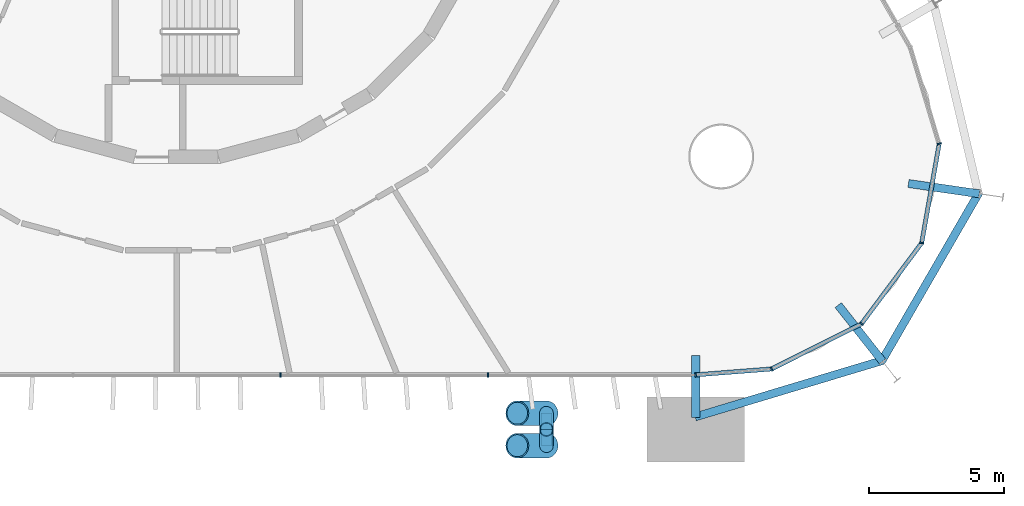
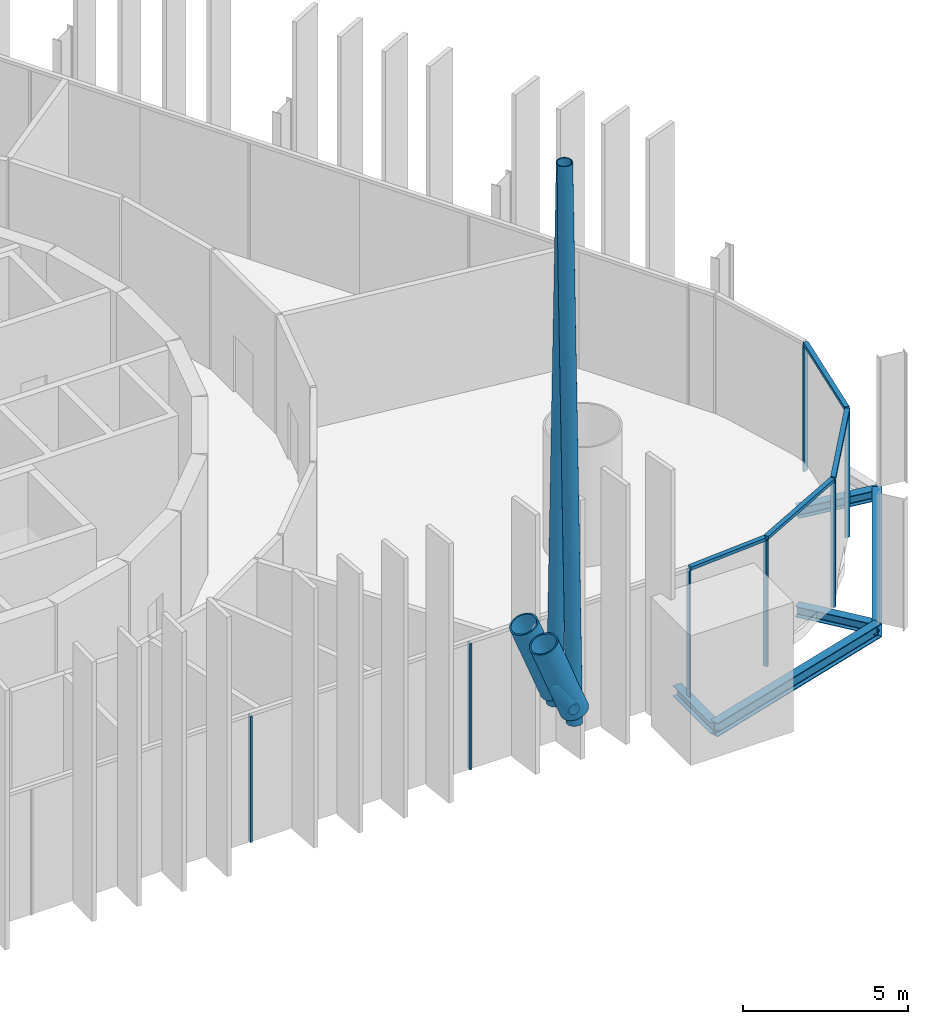
# One storey, part 7 of 18: 16 members, 5 beams, 2 elements without a shape of their own.
"""IFC4 building model written with IfcOpenShell, lengths in metres."""

from ifc_helpers import new_model, si_unit, direction, frame, origin, origin_2d, place, context, subcontext, project, spatial, rectangle, hollow_circle, i_section, extrude, material, layer, layer_set, material_profile, profile_set, type_object, element, aggregate, save


model = new_model("IFC4")

# Units and contexts
model_context = context("Model", 3, precision=1e-05, world=origin(), true_north=direction((0.0, 1.0)))
body_context = subcontext(model_context, "Body", "Model", "MODEL_VIEW")
ifc_project = project(units=[si_unit("LENGTHUNIT", "METRE"), si_unit("AREAUNIT", "SQUARE_METRE"), si_unit("VOLUMEUNIT", "CUBIC_METRE"), si_unit("PLANEANGLEUNIT", "RADIAN"), si_unit("MASSUNIT", "GRAM", prefix="KILO")], contexts=[model_context])

# Site, building, storey
site_placement = place(None, origin())
site = spatial("IfcSite", under=ifc_project, at=site_placement, CompositionType="ELEMENT")
building_placement = place(site_placement, origin())
building = spatial("IfcBuilding", under=site, at=building_placement, Name="Spindle Arch Residences", CompositionType="ELEMENT")
storey_placement = place(building_placement, frame((0.0, 0.0, 9.0)))
storey = spatial("IfcBuildingStorey", under=building, at=storey_placement, Name="L01", CompositionType="ELEMENT", Elevation=9.0)

# Members
ifc_material_1 = material(Name="Steel S355J2, intumescent coating R 240", Category="steel")
ifc_material_profile_1 = material_profile(ifc_material_1, hollow_circle(Radius=0.25390625, WallThickness=0.02490234375, at=origin_2d()), Name="CHS 508x25")
ifc_profile_set_1 = profile_set([ifc_material_profile_1], Name="Steel S355J2, intumescent coating R 240")
member_type_1 = type_object("IfcMemberType", Name="Arch hanger CHS 508x25", PredefinedType="BRACE", material=ifc_profile_set_1)
for number, where, z_axis, x_axis, name in (
    (1, (13.676513671875, -21.72998046875, 22.5419921875), (0.0, -0.029455418641, -0.99956609502), (1.0, 0.0, 0.0), "Arch hanger 1.20"),
    (2, (13.676513671875, -21.72998046875, 22.5419921875), (0.0, 0.029467396601, -0.999565741979), (-1.0, 0.0, 0.0), "Arch hanger 2.20"),
):
    element("IfcMember", number, at=place(storey_placement, frame(where, z_axis=z_axis, x_axis=x_axis)), inside=storey, type_object=member_type_1, Name=name, PredefinedType="BRACE", context=body_context, shape_type="SweptSolid", body=[
        extrude(hollow_circle(Radius=0.25390625, WallThickness=0.02490234375, at=origin_2d()), origin(), (0.0, 0.0, 1.0), 20.36474609375),
    ])
ifc_material_2 = material(Name="Steel S355J2, intumescent coating R 240", Category="steel")
ifc_material_profile_2 = material_profile(ifc_material_2, hollow_circle(Radius=0.45703125, WallThickness=0.050048828125, at=origin_2d()), Name="CHS 914x50")
ifc_profile_set_2 = profile_set([ifc_material_profile_2], Name="Steel S355J2, intumescent coating R 240")
member_type_2 = type_object("IfcMemberType", Name="Arch rib CHS 914x50", PredefinedType="MEMBER", material=ifc_profile_set_2)
for number, where, z_axis, x_axis, name in (
    (3, (12.59765625, -22.329833984375, 5.451904296875), (0.358582102982, 0.0, -0.933498192511), (0.0, 1.0, 0.0), "Arch rib 1.20"),
    (4, (12.59765625, -21.1298828125, 5.451904296875), (0.358582102982, 0.0, -0.933498192511), (0.0, 1.0, 0.0), "Arch rib 2.20"),
):
    element("IfcMember", number, at=place(storey_placement, frame(where, z_axis=z_axis, x_axis=x_axis)), inside=storey, type_object=member_type_2, Name=name, PredefinedType="MEMBER", context=body_context, shape_type="SweptSolid", body=[
        extrude(hollow_circle(Radius=0.45703125, WallThickness=0.050048828125, at=origin_2d()), origin(), (0.0, 0.0, 1.0), 3.0087890625),
    ])
ifc_material_3 = material(Name="Steel S355J2, intumescent coating R 240", Category="steel")
ifc_material_profile_3 = material_profile(ifc_material_3, hollow_circle(Radius=0.203125, WallThickness=0.02001953125, at=origin_2d()), Name="CHS 406.4x20")
ifc_profile_set_3 = profile_set([ifc_material_profile_3], Name="Steel S355J2, intumescent coating R 240")
member_type_3 = type_object("IfcMemberType", Name="Arch tie CHS 406.4x20", PredefinedType="MEMBER", material=ifc_profile_set_3)
member_1_placement = place(storey_placement, frame((13.676513671875, -22.329833984375, 2.643310546875), z_axis=(0.0, 1.0, 0.0), x_axis=(-1.0, 0.0, 0.0)))
element("IfcMember", 5, at=member_1_placement, inside=storey, type_object=member_type_3, Name="Arch tie 20", PredefinedType="MEMBER", context=body_context, shape_type="SweptSolid", body=[
    extrude(hollow_circle(Radius=0.203125, WallThickness=0.02001953125, at=origin_2d()), origin(), (0.0, 0.0, 1.0), 1.199951171875),
])

# Curtain wall, members
ifc_material_4 = material(Name="Aluminium bronze unitised frame with tinted glass", Category="aluminium")
ifc_layer_1 = layer(ifc_material_4, 0.159912109375)
ifc_layer_set_1 = layer_set([ifc_layer_1], Name="CW-D corner wall on the fillet arcs")
curtain_wall_type_1 = type_object("IfcCurtainWallType", Name="CW-D corner wall on the fillet arcs", PredefinedType="NOTDEFINED", material=ifc_layer_set_1)
curtain_wall_1_placement = place(storey_placement, origin())
curtain_wall_1 = element("IfcCurtainWall", 6, at=curtain_wall_1_placement, inside=storey, type_object=curtain_wall_type_1, Name="CW-D L01 run 1", PredefinedType="NOTDEFINED")
ifc_material_5 = material(Name="Aluminium bronze anodised mullion", Category="aluminium")
ifc_material_profile_4 = material_profile(ifc_material_5, rectangle(XDim=0.159912109375, YDim=0.06005859375, at=origin_2d()), Name="MU 60x160")
ifc_profile_set_4 = profile_set([ifc_material_profile_4], Name="Aluminium bronze anodised mullion")
member_type_4 = type_object("IfcMemberType", Name="Bronze mullion 60x160", PredefinedType="MULLION", material=ifc_profile_set_4)
member_2_placement = place(storey_placement, frame((19.2001953125, -19.7099609375, -0.3798828125), z_axis=(0.0, 0.0, 1.0), x_axis=(-0.077364085451, 0.997002907861, 0.0)))
member_2 = element("IfcMember", 7, at=member_2_placement, type_object=member_type_4, Name="CW-D mullion 00", PredefinedType="MULLION", context=body_context, shape_type="SweptSolid", body=[
    extrude(rectangle(XDim=0.159912109375, YDim=0.06005859375, at=origin_2d()), origin(), (0.0, 0.0, 1.0), 4.679931640625),
])
member_3_placement = place(storey_placement, frame((22.007080078125, -19.4921875, -0.3798828125), z_axis=(0.0, 0.0, 1.0), x_axis=(-0.448799176213, 0.893632642326, 0.0)))
member_3 = element("IfcMember", 8, at=member_3_placement, type_object=member_type_4, Name="CW-D mullion 01", PredefinedType="MULLION", context=body_context, shape_type="SweptSolid", body=[
    extrude(rectangle(XDim=0.159912109375, YDim=0.06005859375, at=origin_2d()), origin(), (0.0, 0.0, 1.0), 4.679931640625),
])
member_4_placement = place(storey_placement, frame((25.33740234375, -17.819580078125, -0.3798828125), z_axis=(0.0, 0.0, 1.0), x_axis=(-0.802123189687, 0.597158595823, 0.0)))
member_4 = element("IfcMember", 9, at=member_4_placement, type_object=member_type_4, Name="CW-D mullion 02", PredefinedType="MULLION", context=body_context, shape_type="SweptSolid", body=[
    extrude(rectangle(XDim=0.159912109375, YDim=0.06005859375, at=origin_2d()), origin(), (0.0, 0.0, 1.0), 4.679931640625),
])
member_5_placement = place(storey_placement, frame((27.562744140625, -14.830322265625, -0.3798828125), z_axis=(0.0, 0.0, 1.0), x_axis=(-0.984807752421, 0.173648181019, 0.0)))
member_5 = element("IfcMember", 10, at=member_5_placement, type_object=member_type_4, Name="CW-D mullion 03", PredefinedType="MULLION", context=body_context, shape_type="SweptSolid", body=[
    extrude(rectangle(XDim=0.159912109375, YDim=0.06005859375, at=origin_2d()), origin(), (0.0, 0.0, 1.0), 4.679931640625),
])
member_6_placement = place(storey_placement, frame((28.2099609375, -11.16015625, -0.3798828125), z_axis=(0.0, 0.0, 1.0), x_axis=(-0.957989512975, -0.28680323051, 0.0)))
member_6 = element("IfcMember", 11, at=member_6_placement, type_object=member_type_4, Name="CW-D mullion 04", PredefinedType="MULLION", context=body_context, shape_type="SweptSolid", body=[
    extrude(rectangle(XDim=0.159912109375, YDim=0.06005859375, at=origin_2d()), origin(), (0.0, 0.0, 1.0), 4.679931640625),
])

ifc_material_6 = material(Name="Aluminium bronze unitised frame with tinted glass", Category="aluminium")
ifc_layer_2 = layer(ifc_material_6, 0.159912109375)
ifc_layer_set_2 = layer_set([ifc_layer_2], Name="CW-B amenity podium glazed wall")
curtain_wall_type_2 = type_object("IfcCurtainWallType", Name="CW-B amenity podium glazed wall", PredefinedType="NOTDEFINED", material=ifc_layer_set_2)
curtain_wall_2_placement = place(storey_placement, origin())
curtain_wall_2 = element("IfcCurtainWall", 12, at=curtain_wall_2_placement, inside=storey, type_object=curtain_wall_type_2, Name="CW-B L01 run 6", PredefinedType="NOTDEFINED")
member_7_placement = place(storey_placement, frame((3.840087890625, -19.7099609375, -0.3798828125), z_axis=(0.0, 0.0, 1.0), x_axis=(0.0, 1.0, 0.0)))
member_7 = element("IfcMember", 13, at=member_7_placement, type_object=member_type_4, Name="CW-B mullion 00", PredefinedType="MULLION", context=body_context, shape_type="SweptSolid", body=[
    extrude(rectangle(XDim=0.159912109375, YDim=0.06005859375, at=origin_2d()), origin(), (0.0, 0.0, 1.0), 4.679931640625),
])
member_8_placement = place(storey_placement, frame((11.52001953125, -19.7099609375, -0.3798828125), z_axis=(0.0, 0.0, 1.0), x_axis=(0.0, 1.0, 0.0)))
member_8 = element("IfcMember", 14, at=member_8_placement, type_object=member_type_4, Name="CW-B mullion 01", PredefinedType="MULLION", context=body_context, shape_type="SweptSolid", body=[
    extrude(rectangle(XDim=0.159912109375, YDim=0.06005859375, at=origin_2d()), origin(), (0.0, 0.0, 1.0), 4.679931640625),
])
aggregate(curtain_wall_2, [member_7, member_8])

# Member
ifc_material_7 = material(Name="Aluminium bronze anodised transom", Category="aluminium")
ifc_material_profile_5 = material_profile(ifc_material_7, rectangle(XDim=0.159912109375, YDim=0.1201171875, at=origin_2d()), Name="TR 120x160")
ifc_profile_set_5 = profile_set([ifc_material_profile_5], Name="Aluminium bronze anodised transom")
member_type_5 = type_object("IfcMemberType", Name="Bronze transom 120x160", PredefinedType="USERDEFINED", material=ifc_profile_set_5)
member_9_placement = place(storey_placement, frame((19.22998046875, -19.70751953125, 4.360107421875), z_axis=(0.997003710875, 0.077353736189, 0.0), x_axis=(-0.077353736189, 0.997003710875, 0.0)))
member_9 = element("IfcMember", 15, at=member_9_placement, type_object=member_type_5, Name="CW-D transom 00", ObjectType="TRANSOM", PredefinedType="USERDEFINED", context=body_context, shape_type="SweptSolid", body=[
    extrude(rectangle(XDim=0.159912109375, YDim=0.1201171875, at=origin_2d()), origin(), (0.0, 0.0, 1.0), 2.75537109375),
])

member_10_placement = place(storey_placement, frame((22.03369140625, -19.478759765625, 4.360107421875), z_axis=(0.893626812559, 0.448810784046, 0.0), x_axis=(-0.448810784046, 0.893626812559, 0.0)))
member_10 = element("IfcMember", 16, at=member_10_placement, type_object=member_type_5, Name="CW-D transom 01", ObjectType="TRANSOM", PredefinedType="USERDEFINED", context=body_context, shape_type="SweptSolid", body=[
    extrude(rectangle(XDim=0.159912109375, YDim=0.1201171875, at=origin_2d()), origin(), (0.0, 0.0, 1.0), 3.6669921875),
])

member_11_placement = place(storey_placement, frame((25.355224609375, -17.79541015625, 4.360107421875), z_axis=(0.597173190998, 0.802112323776, 0.0), x_axis=(-0.802112323776, 0.597173190998, 0.0)))
member_11 = element("IfcMember", 17, at=member_11_placement, type_object=member_type_5, Name="CW-D transom 02", ObjectType="TRANSOM", PredefinedType="USERDEFINED", context=body_context, shape_type="SweptSolid", body=[
    extrude(rectangle(XDim=0.159912109375, YDim=0.1201171875, at=origin_2d()), origin(), (0.0, 0.0, 1.0), 3.666748046875),
])

member_12_placement = place(storey_placement, frame((27.56787109375, -14.80078125, 4.360107421875), z_axis=(0.173709368694, 0.984796961423, 0.0), x_axis=(-0.984796961423, 0.173709368694, 0.0)))
member_12 = element("IfcMember", 18, at=member_12_placement, type_object=member_type_5, Name="CW-D transom 03", ObjectType="TRANSOM", PredefinedType="USERDEFINED", context=body_context, shape_type="SweptSolid", body=[
    extrude(rectangle(XDim=0.159912109375, YDim=0.1201171875, at=origin_2d()), origin(), (0.0, 0.0, 1.0), 3.666748046875),
])

aggregate(curtain_wall_1, [member_2, member_9, member_3, member_10, member_4, member_11, member_5, member_12, member_6])

# Beams
ifc_material_8 = material(Name="Steel S460ML, intumescent coating R 120", Category="steel")
ifc_material_profile_6 = material_profile(ifc_material_8, i_section(OverallWidth=0.300048828125, OverallDepth=0.5, WebThickness=0.014404296875, FlangeThickness=0.028076171875, FilletRadius=0.027099609375, at=origin_2d()), Name="HEB 500")
ifc_profile_set_6 = profile_set([ifc_material_profile_6], Name="Steel S460ML, intumescent coating R 120")
beam_type_1 = type_object("IfcBeamType", Name="Exoskeleton edge beam HEB 500", PredefinedType="BEAM", material=ifc_profile_set_6)
beam_1_placement = place(storey_placement, frame((19.177490234375, -21.26708984375, -0.6298828125), z_axis=(0.957564526429, 0.288218975303, 0.0), x_axis=(-0.288218975303, 0.957564526429, 0.0)))
element("IfcBeam", 19, at=beam_1_placement, inside=storey, type_object=beam_type_1, Name="Exoskeleton edge beam 3", PredefinedType="BEAM", context=body_context, shape_type="SweptSolid", body=[
    extrude(i_section(OverallWidth=0.300048828125, OverallDepth=0.5, WebThickness=0.014404296875, FlangeThickness=0.028076171875, FilletRadius=0.027099609375, at=origin_2d()), origin(), (0.0, 0.0, 1.0), 7.25),
])
beam_2_placement = place(storey_placement, frame((26.06689453125, -19.227783203125, -0.6298828125), z_axis=(0.500025200273, 0.866010853911, 0.0), x_axis=(-0.866010853911, 0.500025200273, 0.0)))
element("IfcBeam", 20, at=beam_2_placement, inside=storey, type_object=beam_type_1, Name="Exoskeleton edge beam 4", PredefinedType="BEAM", context=body_context, shape_type="SweptSolid", body=[
    extrude(i_section(OverallWidth=0.300048828125, OverallDepth=0.5, WebThickness=0.014404296875, FlangeThickness=0.028076171875, FilletRadius=0.027099609375, at=origin_2d()), origin(), (0.0, 0.0, 1.0), 7.236572265625),
])
ifc_material_9 = material(Name="Steel S460ML, intumescent coating R 120", Category="steel")
ifc_material_profile_7 = material_profile(ifc_material_9, i_section(OverallWidth=0.300048828125, OverallDepth=0.389892578125, WebThickness=0.010986328125, FlangeThickness=0.01904296875, FilletRadius=0.027099609375, at=origin_2d()), Name="HEA 400")
ifc_profile_set_7 = profile_set([ifc_material_profile_7], Name="Steel S460ML, intumescent coating R 120")
beam_type_2 = type_object("IfcBeamType", Name="Floor outrigger HEA 400", PredefinedType="BEAM", material=ifc_profile_set_7)
beam_3_placement = place(storey_placement, frame((19.2001953125, -21.27978515625, -0.574951171875), z_axis=(0.0, 1.0, 0.0), x_axis=(-1.0, 0.0, 0.0)))
element("IfcBeam", 21, at=beam_3_placement, inside=storey, type_object=beam_type_2, Name="Floor outrigger 3", PredefinedType="BEAM", context=body_context, shape_type="SweptSolid", body=[
    extrude(i_section(OverallWidth=0.300048828125, OverallDepth=0.389892578125, WebThickness=0.010986328125, FlangeThickness=0.01904296875, FilletRadius=0.027099609375, at=origin_2d()), origin(), (0.0, 0.0, 1.0), 2.2939453125),
])
for number, where, z_axis, x_axis, name in (
    (22, (26.11328125, -19.211669921875, -0.574951171875), (-0.618586231558, 0.785716917297, 0.0), (-0.785716917297, -0.618586231558, 0.0), "Floor outrigger 4"),
    (23, (29.694580078125, -13.009033203125, -0.574951171875), (-0.989738348309, 0.142891573883, 0.0), (-0.142891573883, -0.989738348309, 0.0), "Floor outrigger 5"),
):
    element("IfcBeam", number, at=place(storey_placement, frame(where, z_axis=z_axis, x_axis=x_axis)), inside=storey, type_object=beam_type_2, Name=name, PredefinedType="BEAM", context=body_context, shape_type="SweptSolid", body=[
        extrude(i_section(OverallWidth=0.300048828125, OverallDepth=0.389892578125, WebThickness=0.010986328125, FlangeThickness=0.01904296875, FilletRadius=0.027099609375, at=origin_2d()), origin(), (0.0, 0.0, 1.0), 2.64990234375),
    ])

save(model, "model.ifc")
